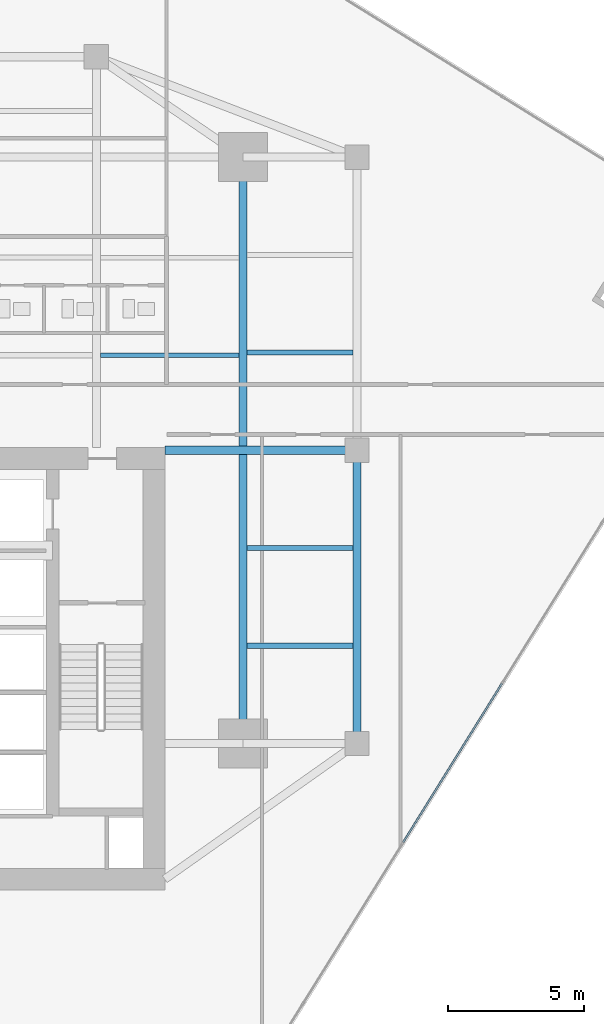
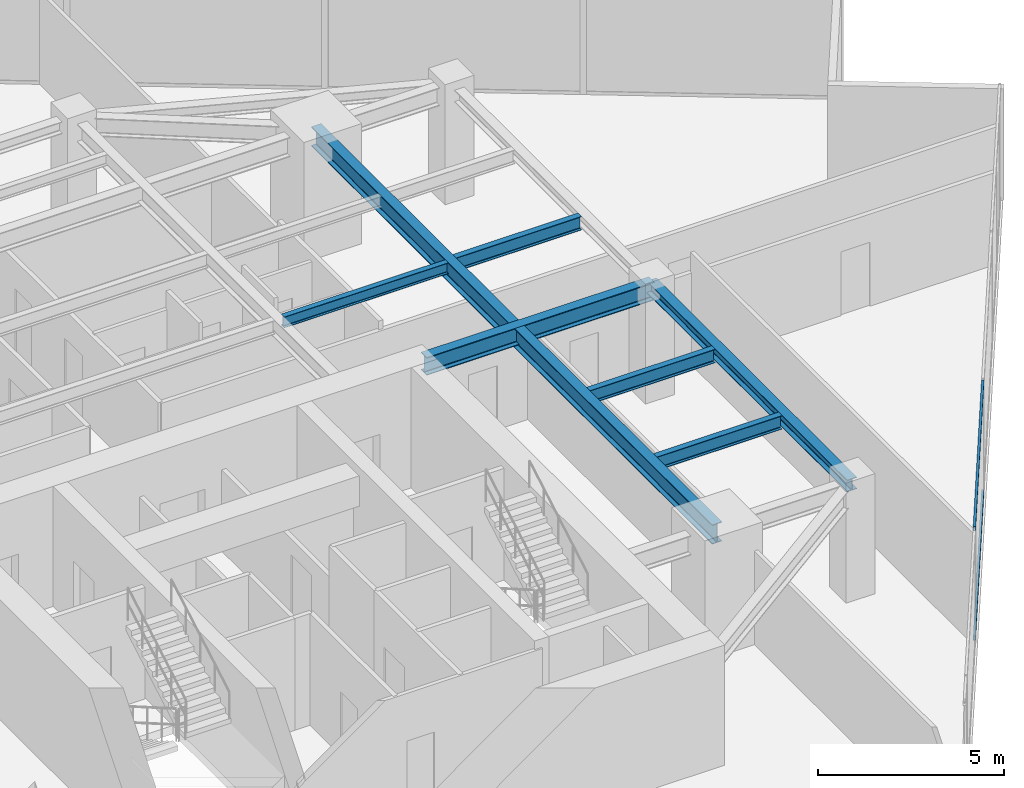
# One storey, part 10 of 25: 7 beams, 2 members, 1 element without a shape of its own.
"""IFC4 building model written with IfcOpenShell, lengths in metres."""

from ifc_helpers import new_model, si_unit, direction, frame, origin, origin_2d, place, context, subcontext, project, spatial, hollow_rectangle, i_section, extrude, source, transform, mapped, material, material_profile, profile_set, type_object, type_shapes, element, aggregate, save


model = new_model("IFC4")

# Units and contexts
model_context = context("Model", 3, precision=1e-05, world=origin(), true_north=direction((0.0, 1.0)))
body_context = subcontext(model_context, "Body", "Model", "MODEL_VIEW")
ifc_project = project(units=[si_unit("LENGTHUNIT", "METRE"), si_unit("AREAUNIT", "SQUARE_METRE"), si_unit("VOLUMEUNIT", "CUBIC_METRE"), si_unit("PLANEANGLEUNIT", "RADIAN"), si_unit("MASSUNIT", "GRAM", prefix="KILO")], contexts=[model_context])

# Site, building, storey
site_placement = place(None, origin())
site = spatial("IfcSite", under=ifc_project, at=site_placement, CompositionType="ELEMENT")
building_placement = place(site_placement, origin())
building = spatial("IfcBuilding", under=site, at=building_placement, Name="Krantzveldt Concourse Tower", CompositionType="ELEMENT")
storey_placement = place(building_placement, frame((0.0, 0.0, 181.75)))
storey = spatial("IfcBuildingStorey", under=building, at=storey_placement, Name="L44", CompositionType="ELEMENT", Elevation=181.75)

# Beams
ifc_material_1 = material(Name="Steel S355JR", Category="steel")
ifc_material_profile_1 = material_profile(ifc_material_1, i_section(OverallWidth=0.300048828125, OverallDepth=0.639892578125, WebThickness=0.013427734375, FlangeThickness=0.02587890625, FilletRadius=0.027099609375, at=origin_2d()), Name="Steel S355JR", Category="steel")
ifc_profile_set_1 = profile_set([ifc_material_profile_1], Name="Steel S355JR - HEA 650")
beam_type_1 = type_object("IfcBeamType", Name="BM-B-HEA650", PredefinedType="BEAM", material=ifc_profile_set_1)
shared_shape_1 = source(origin(), body_context, "Body", "SweptSolid", [
    extrude(i_section(OverallWidth=0.300048828125, OverallDepth=0.639892578125, WebThickness=0.013427734375, FlangeThickness=0.02587890625, FilletRadius=0.027099609375, at=origin_2d()), origin(), (0.0, 0.0, 1.0), 21.60009765625),
])
type_shapes(beam_type_1, [shared_shape_1])
beam_1_placement = place(storey_placement, frame((46.800048828125, 15.89990234375, 3.35009765625), z_axis=(0.0, 1.0, 0.0), x_axis=(-1.0, 0.0, 0.0)))
element("IfcBeam", 1, at=beam_1_placement, inside=storey, type_object=beam_type_1, Name="L44 Tower Girder BG-ME", PredefinedType="BEAM", context=body_context, shape_type="MappedRepresentation", body=[
    mapped(shared_shape_1, transform((0.0, 0.0, 0.0), x_axis=(1.0, 0.0, 0.0), y_axis=(0.0, 1.0, 0.0), z_axis=(0.0, 0.0, 1.0), scale=1.0)),
])
ifc_material_profile_2 = material_profile(ifc_material_1, i_section(OverallWidth=0.300048828125, OverallDepth=0.590087890625, WebThickness=0.012939453125, FlangeThickness=0.02490234375, FilletRadius=0.027099609375, at=origin_2d()), Name="Steel S355JR", Category="steel")
ifc_profile_set_2 = profile_set([ifc_material_profile_2], Name="Steel S355JR - HEA 600")
beam_type_2 = type_object("IfcBeamType", Name="BM-B-HEA600", PredefinedType="BEAM", material=ifc_profile_set_2)
shared_shape_2 = source(origin(), body_context, "Body", "SweptSolid", [
    extrude(i_section(OverallWidth=0.300048828125, OverallDepth=0.590087890625, WebThickness=0.012939453125, FlangeThickness=0.02490234375, FilletRadius=0.027099609375, at=origin_2d()), origin(), (0.0, 0.0, 1.0), 7.080078125),
])
type_shapes(beam_type_2, [shared_shape_2])
beam_2_placement = place(storey_placement, frame((43.919921875, 26.699951171875, 3.375), z_axis=(1.0, 0.0, 0.0), x_axis=(0.0, 1.0, 0.0)))
element("IfcBeam", 2, at=beam_2_placement, inside=storey, type_object=beam_type_2, Name="L44 Tower Girder BG-CE2", PredefinedType="BEAM", context=body_context, shape_type="MappedRepresentation", body=[
    mapped(shared_shape_2, transform((0.0, 0.0, 0.0), x_axis=(1.0, 0.0, 0.0), y_axis=(0.0, 1.0, 0.0), z_axis=(0.0, 0.0, 1.0), scale=1.0)),
])
ifc_material_profile_3 = material_profile(ifc_material_1, i_section(OverallWidth=0.300048828125, OverallDepth=0.389892578125, WebThickness=0.010986328125, FlangeThickness=0.01904296875, FilletRadius=0.027099609375, at=origin_2d()), Name="Steel S355JR", Category="steel")
ifc_profile_set_3 = profile_set([ifc_material_profile_3], Name="Steel S355JR - HEA 400")
beam_type_3 = type_object("IfcBeamType", Name="BM-SP-HEA400", PredefinedType="SPANDREL", material=ifc_profile_set_3)
shared_shape_3 = source(origin(), body_context, "Body", "SweptSolid", [
    extrude(i_section(OverallWidth=0.300048828125, OverallDepth=0.389892578125, WebThickness=0.010986328125, FlangeThickness=0.01904296875, FilletRadius=0.027099609375, at=origin_2d()), origin(), (0.0, 0.0, 1.0), 10.800048828125),
])
type_shapes(beam_type_3, [shared_shape_3])
beam_3_placement = place(storey_placement, frame((51.0, 26.699951171875, 3.47509765625), z_axis=(0.0, -1.0, 0.0), x_axis=(1.0, 0.0, 0.0)))
element("IfcBeam", 3, at=beam_3_placement, inside=storey, type_object=beam_type_3, Name="L44 Tower Girder SP-R07", PredefinedType="SPANDREL", context=body_context, shape_type="MappedRepresentation", body=[
    mapped(shared_shape_3, transform((0.0, 0.0, 0.0), x_axis=(1.0, 0.0, 0.0), y_axis=(0.0, 1.0, 0.0), z_axis=(0.0, 0.0, 1.0), scale=1.0)),
])
ifc_material_profile_4 = material_profile(ifc_material_1, i_section(OverallWidth=0.169921875, OverallDepth=0.360107421875, WebThickness=0.008056640625, FlangeThickness=0.0126953125, FilletRadius=0.01806640625, at=origin_2d()), Name="Steel S355JR", Category="steel")
ifc_profile_set_4 = profile_set([ifc_material_profile_4], Name="Steel S355JR - IPE 360")
beam_type_4 = type_object("IfcBeamType", Name="BM-J-IPE360", PredefinedType="JOIST", material=ifc_profile_set_4)
shared_shape_4 = source(origin(), body_context, "Body", "SweptSolid", [
    extrude(i_section(OverallWidth=0.169921875, OverallDepth=0.360107421875, WebThickness=0.008056640625, FlangeThickness=0.0126953125, FilletRadius=0.01806640625, at=origin_2d()), origin(), (0.0, 0.0, 1.0), 5.099853515625),
])
type_shapes(beam_type_4, [shared_shape_4])
beam_4_placement = place(storey_placement, frame((41.550048828125, 30.199951171875, 3.489990234375), z_axis=(1.0, 0.0, 0.0), x_axis=(0.0, 1.0, 0.0)))
element("IfcBeam", 4, at=beam_4_placement, inside=storey, type_object=beam_type_4, Name="L44 Secondary Floor Joist JN-E1", PredefinedType="JOIST", context=body_context, shape_type="MappedRepresentation", body=[
    mapped(shared_shape_4, transform((0.0, 0.0, 0.0), x_axis=(1.0, 0.0, 0.0), y_axis=(0.0, 1.0, 0.0), z_axis=(0.0, 0.0, 1.0), scale=1.0)),
])
ifc_material_profile_5 = material_profile(ifc_material_1, i_section(OverallWidth=0.18994140625, OverallDepth=0.449951171875, WebThickness=0.009521484375, FlangeThickness=0.0146484375, FilletRadius=0.02099609375, at=origin_2d()), Name="Steel S355JR", Category="steel")
ifc_profile_set_5 = profile_set([ifc_material_profile_5], Name="Steel S355JR - IPE 450")
beam_type_5 = type_object("IfcBeamType", Name="BM-J-IPE450", PredefinedType="JOIST", material=ifc_profile_set_5)
shared_shape_5 = source(origin(), body_context, "Body", "SweptSolid", [
    extrude(i_section(OverallWidth=0.18994140625, OverallDepth=0.449951171875, WebThickness=0.009521484375, FlangeThickness=0.0146484375, FilletRadius=0.02099609375, at=origin_2d()), origin(), (0.0, 0.0, 1.0), 3.900146484375),
])
type_shapes(beam_type_5, [shared_shape_5])
for number, where, z_axis, x_axis, name in (
    (5, (46.949951171875, 19.5, 3.445068359375), (1.0, 0.0, 0.0), (0.0, 1.0, 0.0), "L44 Secondary Floor Joist JE-1"),
    (6, (46.949951171875, 23.10009765625, 3.445068359375), (1.0, 0.0, 0.0), (0.0, 1.0, 0.0), "L44 Secondary Floor Joist JE-2"),
    (7, (46.949951171875, 30.300048828125, 3.445068359375), (1.0, 0.0, 0.0), (0.0, 1.0, 0.0), "L44 Secondary Floor Joist JE-3"),
):
    element("IfcBeam", number, at=place(storey_placement, frame(where, z_axis=z_axis, x_axis=x_axis)), inside=storey, type_object=beam_type_5, Name=name, PredefinedType="JOIST", context=body_context, shape_type="MappedRepresentation", body=[
        mapped(shared_shape_5, transform((0.0, 0.0, 0.0), x_axis=(1.0, 0.0, 0.0), y_axis=(0.0, 1.0, 0.0), z_axis=(0.0, 0.0, 1.0), scale=1.0)),
    ])

# Curtain wall, members
ifc_material_2 = material(Name="Anodised aluminium 6063-T6", Category="aluminium")
curtain_wall_type = type_object("IfcCurtainWallType", Name="CW3", PredefinedType="USERDEFINED", material=ifc_material_2)
curtain_wall_placement = place(storey_placement, origin())
curtain_wall = element("IfcCurtainWall", 8, at=curtain_wall_placement, inside=storey, type_object=curtain_wall_type, Name="CW-L44-F07", ObjectType="UNITISED CURTAIN WALL", PredefinedType="USERDEFINED")
ifc_material_profile_6 = material_profile(ifc_material_2, hollow_rectangle(XDim=0.070068359375, YDim=0.139892578125, WallThickness=0.0048828125, at=origin_2d()), Name="Anodised aluminium 6063-T6", Category="aluminium")
ifc_profile_set_6 = profile_set([ifc_material_profile_6], Name="Anodised aluminium 6063-T6 - ALU-TRAN 140x70x5")
member_type = type_object("IfcMemberType", Name="CW-TRN-150", PredefinedType="USERDEFINED", material=ifc_profile_set_6)
shared_shape_6 = source(origin(), body_context, "Body", "SweptSolid", [
    extrude(hollow_rectangle(XDim=0.070068359375, YDim=0.139892578125, WallThickness=0.0048828125, at=origin_2d()), origin(), (0.0, 0.0, 1.0), 6.89013671875),
])
type_shapes(member_type, [shared_shape_6])
member_1_placement = place(storey_placement, frame((52.701904296875, 12.25732421875, 0.034912109375), z_axis=(0.528067429464, 0.849202443437, 0.0), x_axis=(-0.849202443437, 0.528067429464, 0.0)))
member_1 = element("IfcMember", 9, at=member_1_placement, type_object=member_type, Name="CW-Z34 transom 3.1", ObjectType="TRANSOM", PredefinedType="USERDEFINED", context=body_context, shape_type="MappedRepresentation", body=[
    mapped(shared_shape_6, transform((0.0, 0.0, 0.0), x_axis=(1.0, 0.0, 0.0), y_axis=(0.0, 1.0, 0.0), z_axis=(0.0, 0.0, 1.0), scale=1.0)),
])
member_2_placement = place(storey_placement, frame((52.701904296875, 12.25732421875, 3.635009765625), z_axis=(0.528067429464, 0.849202443437, 0.0), x_axis=(-0.849202443437, 0.528067429464, 0.0)))
member_2 = element("IfcMember", 10, at=member_2_placement, type_object=member_type, Name="CW-Z34 transom 3.2", ObjectType="TRANSOM", PredefinedType="USERDEFINED", context=body_context, shape_type="MappedRepresentation", body=[
    mapped(shared_shape_6, transform((0.0, 0.0, 0.0), x_axis=(1.0, 0.0, 0.0), y_axis=(0.0, 1.0, 0.0), z_axis=(0.0, 0.0, 1.0), scale=1.0)),
])
aggregate(curtain_wall, [member_1, member_2])

save(model, "model.ifc")
